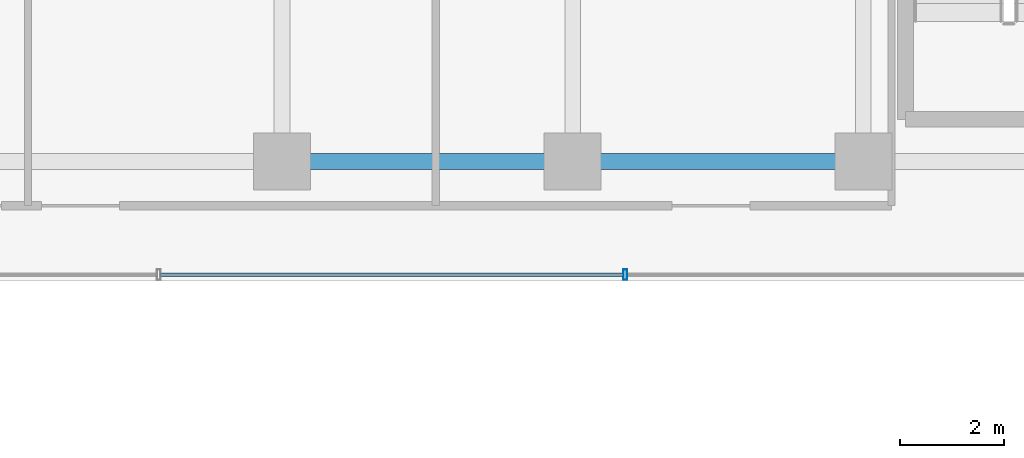
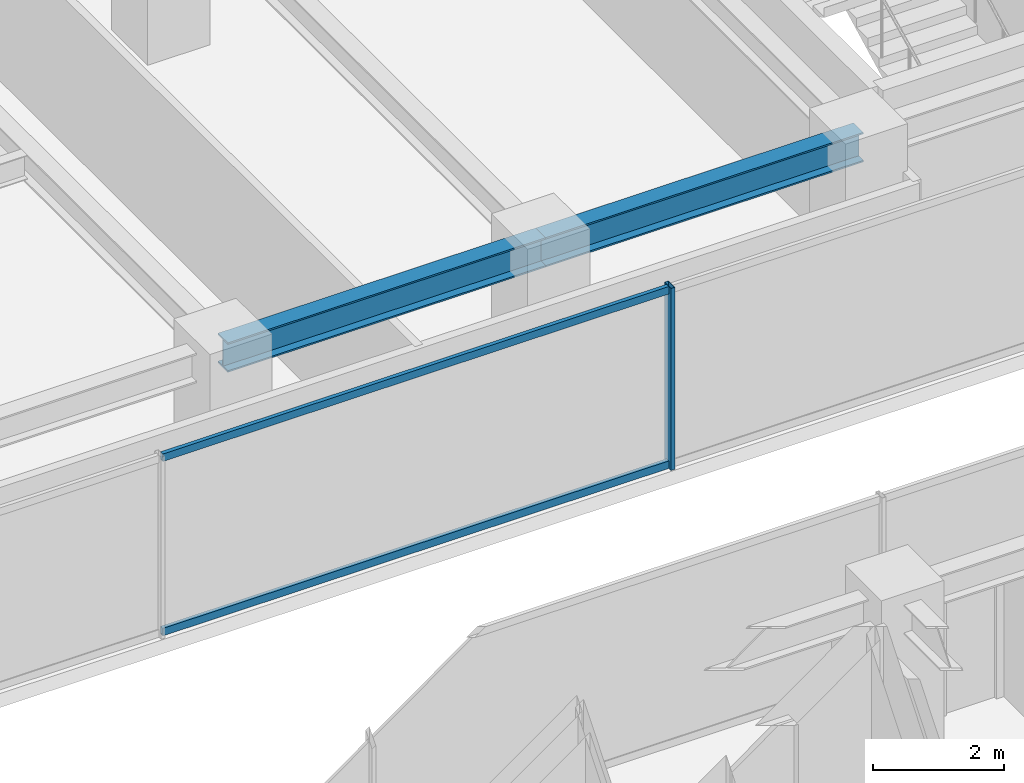
# One storey, part 10 of 38: 3 members, 2 beams, 1 element without a shape of its own.
"""IFC4 building model written with IfcOpenShell, lengths in metres."""

from ifc_helpers import new_model, si_unit, direction, frame, origin, origin_2d, place, context, subcontext, project, spatial, hollow_rectangle, i_section, extrude, source, transform, mapped, material, material_profile, profile_set, type_object, element, aggregate, save


model = new_model("IFC4")

# Units and contexts
model_context = context("Model", 3, precision=1e-05, world=origin(), true_north=direction((0.0, 1.0)))
body_context = subcontext(model_context, "Body", "Model", "MODEL_VIEW")
ifc_project = project(units=[si_unit("LENGTHUNIT", "METRE"), si_unit("AREAUNIT", "SQUARE_METRE"), si_unit("VOLUMEUNIT", "CUBIC_METRE"), si_unit("PLANEANGLEUNIT", "RADIAN"), si_unit("MASSUNIT", "GRAM", prefix="KILO")], contexts=[model_context])

# Site, building, storey
site_placement = place(None, origin())
site = spatial("IfcSite", under=ifc_project, at=site_placement, CompositionType="ELEMENT")
building_placement = place(site_placement, origin())
building = spatial("IfcBuilding", under=site, at=building_placement, Name="Nahalor Promenade Grand Hotel", CompositionType="ELEMENT")
storey_placement = place(building_placement, frame((0.0, 0.0, 163.60009765625)))
storey = spatial("IfcBuildingStorey", under=building, at=storey_placement, Name="L41", CompositionType="ELEMENT", Elevation=163.60009765625)

# Beams
ifc_material_1 = material(Name="Steel S355JR", Category="steel")
ifc_material_profile_1 = material_profile(ifc_material_1, i_section(OverallWidth=0.3, OverallDepth=0.55, WebThickness=0.015, FlangeThickness=0.029, at=origin_2d()), Name="HEB 550")
ifc_profile_set_1 = profile_set([ifc_material_profile_1], Name="Steel S355JR")
beam_type = type_object("IfcBeamType", Name="Beam-Girder-HEB550", PredefinedType="BEAM", material=ifc_profile_set_1)
shared_shape_1 = source(origin(), body_context, "Body", "SweptSolid", [
    extrude(i_section(OverallWidth=0.3, OverallDepth=0.55, WebThickness=0.015, FlangeThickness=0.029, at=origin_2d()), origin(), (0.0, 0.0, 1.0), 5.599853515625),
])
beam_1_placement = place(storey_placement, frame((-8.39990234375, 5.39990234375, 3.114990234375), z_axis=(1.0, 0.0, 0.0), x_axis=(0.0, 1.0, 0.0)))
element("IfcBeam", 1, at=beam_1_placement, inside=storey, type_object=beam_type, Name="BM-L41-GX-2-2", PredefinedType="BEAM", context=body_context, shape_type="MappedRepresentation", body=[
    mapped(shared_shape_1, transform((0.0, 0.0, 0.0), scale=1.0)),
])
shared_shape_2 = source(origin(), body_context, "Body", "SweptSolid", [
    extrude(i_section(OverallWidth=0.3, OverallDepth=0.55, WebThickness=0.015, FlangeThickness=0.029, at=origin_2d()), origin(), (0.0, 0.0, 1.0), 5.60009765625),
])
beam_2_placement = place(storey_placement, frame((-2.800048828125, 5.39990234375, 3.114990234375), z_axis=(1.0, 0.0, 0.0), x_axis=(0.0, 1.0, 0.0)))
element("IfcBeam", 2, at=beam_2_placement, inside=storey, type_object=beam_type, Name="BM-L41-GX-2-3", PredefinedType="BEAM", context=body_context, shape_type="MappedRepresentation", body=[
    mapped(shared_shape_2, transform((0.0, 0.0, 0.0), scale=1.0)),
])

# Curtain wall, members
ifc_material_2 = material(Name="Anodised Bronze Aluminium EN AW-6063 T6", Category="aluminium")
curtain_wall_type = type_object("IfcCurtainWallType", Name="CW3 Elliptical-Void Collar Unitised Curtain Wall", PredefinedType="USERDEFINED", material=ifc_material_2)
curtain_wall_placement = place(storey_placement, origin())
curtain_wall = element("IfcCurtainWall", 3, at=curtain_wall_placement, inside=storey, type_object=curtain_wall_type, Name="L41 Curtain Wall CW-L41-VOID-WN1", ObjectType="UNITISED_CURTAIN_WALL", PredefinedType="USERDEFINED")
ifc_material_profile_2 = material_profile(ifc_material_2, hollow_rectangle(XDim=0.07, YDim=0.14, WallThickness=0.004, at=origin_2d()), Name="CWT 70x140x4")
ifc_profile_set_2 = profile_set([ifc_material_profile_2], Name="Anodised Bronze Aluminium EN AW-6063 T6")
member_type_1 = type_object("IfcMemberType", Name="CWT3 Void Collar Transom 70x140", PredefinedType="USERDEFINED", material=ifc_profile_set_2)
shared_shape_3 = source(origin(), body_context, "Body", "SweptSolid", [
    extrude(hollow_rectangle(XDim=0.07, YDim=0.14, WallThickness=0.004, at=origin_2d()), origin(), (0.0, 0.0, 1.0), 8.91650390625),
])
member_1_placement = place(storey_placement, frame((-10.73828125, 3.219970703125, 0.06982421875), z_axis=(1.0, 0.0, 0.0), x_axis=(0.0, 1.0, 0.0)))
member_1 = element("IfcMember", 4, at=member_1_placement, type_object=member_type_1, Name="CW-L41-VOID-WN1 Transom 1-0", ObjectType="TRANSOM", PredefinedType="USERDEFINED", context=body_context, shape_type="MappedRepresentation", body=[
    mapped(shared_shape_3, transform((0.0, 0.0, 0.0), scale=1.0)),
])
member_2_placement = place(storey_placement, frame((-10.73828125, 3.219970703125, 3.31982421875), z_axis=(1.0, 0.0, 0.0), x_axis=(0.0, 1.0, 0.0)))
member_2 = element("IfcMember", 5, at=member_2_placement, type_object=member_type_1, Name="CW-L41-VOID-WN1 Transom 1-1", ObjectType="TRANSOM", PredefinedType="USERDEFINED", context=body_context, shape_type="MappedRepresentation", body=[
    mapped(shared_shape_3, transform((0.0, 0.0, 0.0), scale=1.0)),
])
ifc_material_profile_3 = material_profile(ifc_material_2, hollow_rectangle(XDim=0.07, YDim=0.2, WallThickness=0.005, at=origin_2d()), Name="CWM 70x200x5")
ifc_profile_set_3 = profile_set([ifc_material_profile_3], Name="Anodised Bronze Aluminium EN AW-6063 T6")
member_type_2 = type_object("IfcMemberType", Name="CWM3 Void Collar Mullion 70x200", PredefinedType="MULLION", material=ifc_profile_set_3)
shared_shape_4 = source(origin(), body_context, "Body", "SweptSolid", [
    extrude(hollow_rectangle(XDim=0.07, YDim=0.2, WallThickness=0.005, at=origin_2d()), origin(), (0.0, 0.0, 1.0), 3.389892578125),
])
member_3_placement = place(storey_placement, frame((-1.78662109375, 3.219970703125, 0.0), z_axis=(0.0, 0.0, 1.0), x_axis=(1.0, 0.0, 0.0)))
member_3 = element("IfcMember", 6, at=member_3_placement, type_object=member_type_2, Name="CW-L41-VOID-WN1 Mullion 2", PredefinedType="MULLION", context=body_context, shape_type="MappedRepresentation", body=[
    mapped(shared_shape_4, transform((0.0, 0.0, 0.0), scale=1.0)),
])
aggregate(curtain_wall, [member_3, member_1, member_2])

save(model, "model.ifc")
